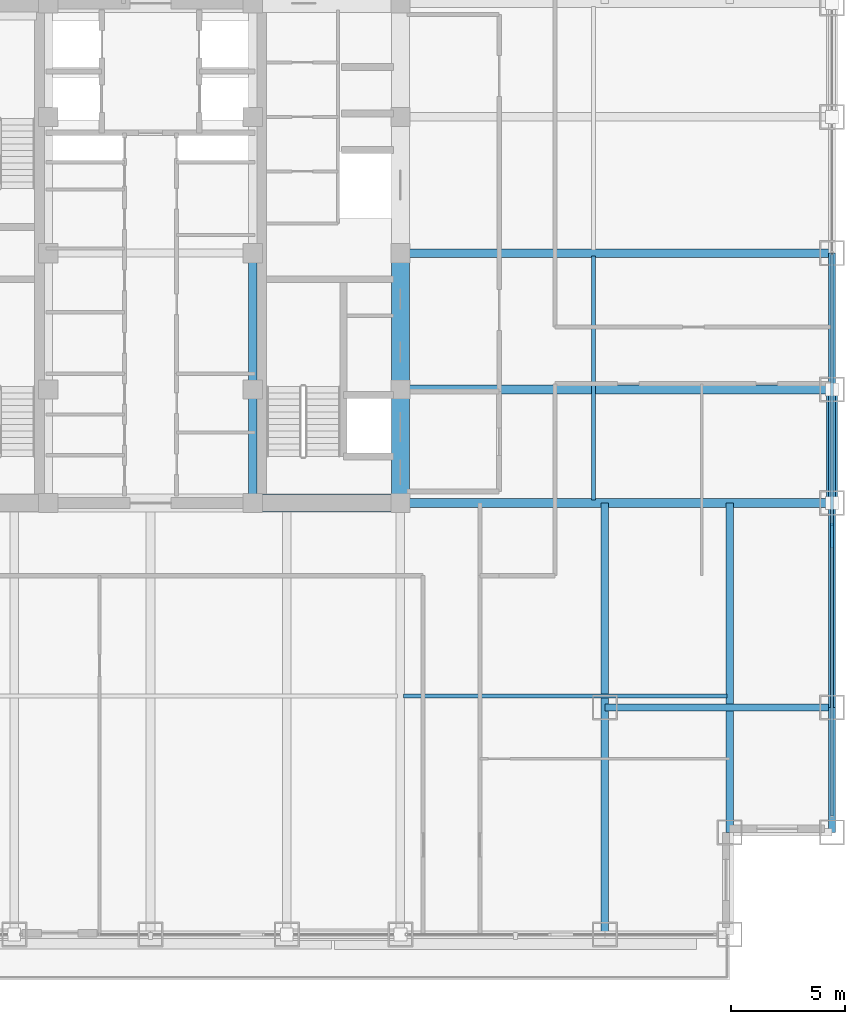
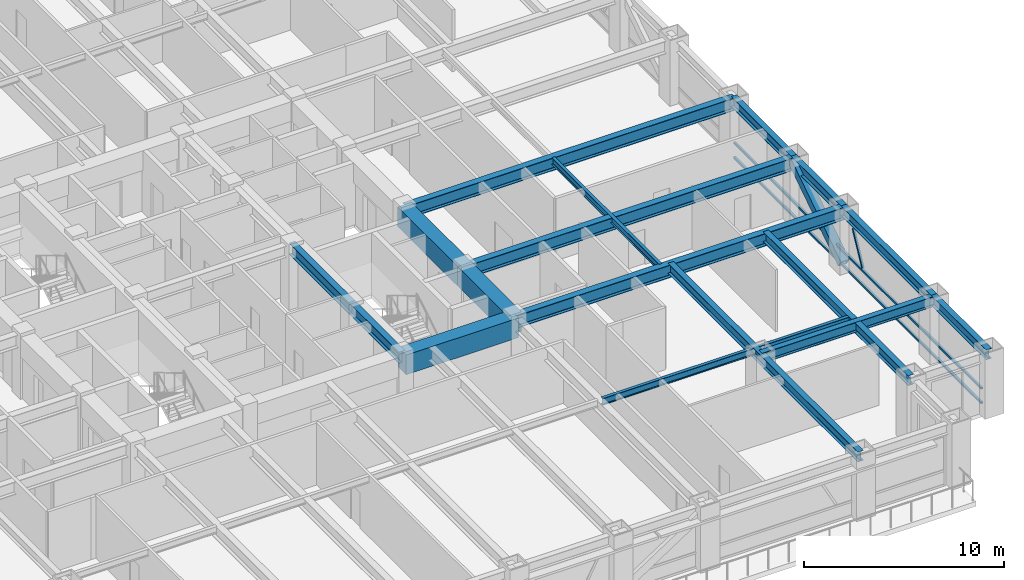
# One storey, part 12 of 35: 17 beams, 5 members, 1 element without a shape of its own.
"""IFC4 building model written with IfcOpenShell, lengths in metres."""

from ifc_helpers import new_model, si_unit, direction, frame, origin, origin_2d, place, context, subcontext, project, spatial, rectangle, hollow_rectangle, i_section, extrude, source, transform, mapped, material, material_profile, profile_set, type_object, element, aggregate, save


model = new_model("IFC4")

# Units and contexts
model_context = context("Model", 3, precision=1e-05, world=origin(), true_north=direction((0.0, 1.0)))
body_context = subcontext(model_context, "Body", "Model", "MODEL_VIEW")
ifc_project = project(units=[si_unit("LENGTHUNIT", "METRE"), si_unit("AREAUNIT", "SQUARE_METRE"), si_unit("VOLUMEUNIT", "CUBIC_METRE"), si_unit("PLANEANGLEUNIT", "RADIAN"), si_unit("MASSUNIT", "GRAM", prefix="KILO")], contexts=[model_context])

# Site, building, storey
site_placement = place(None, origin())
site = spatial("IfcSite", under=ifc_project, at=site_placement, CompositionType="ELEMENT")
building_placement = place(site_placement, origin())
building = spatial("IfcBuilding", under=site, at=building_placement, Name="Khorayat Bourse Tower", CompositionType="ELEMENT")
storey_placement = place(building_placement, frame((0.0, 0.0, 155.10009765625)))
storey = spatial("IfcBuildingStorey", under=building, at=storey_placement, Name="L35", CompositionType="ELEMENT", Elevation=155.10009765625)

# Beams
ifc_material_1 = material(Name="Concrete C72/90", Category="concrete")
ifc_material_profile_1 = material_profile(ifc_material_1, rectangle(XDim=0.800048828125, YDim=1.199951171875, at=origin_2d()), Name="RC 800x1200")
ifc_profile_set_1 = profile_set([ifc_material_profile_1], Name="Concrete C72/90")
beam_type_1 = type_object("IfcBeamType", Name="BM-COUP-1200", PredefinedType="BEAM", material=ifc_profile_set_1)
shared_shape_1 = source(origin(), body_context, "Body", "SweptSolid", [
    extrude(rectangle(XDim=0.800048828125, YDim=1.199951171875, at=origin_2d()), origin(), (0.0, 0.0, 1.0), 5.0),
])
beam_1_placement = place(storey_placement, frame((11.0, -11.0, 3.179931640625), z_axis=(0.0, 1.0, 0.0), x_axis=(-1.0, 0.0, 0.0)))
element("IfcBeam", 1, at=beam_1_placement, inside=storey, type_object=beam_type_1, Name="L35 BM-COUP-1200 BM-L35-CRX-13", PredefinedType="BEAM", context=body_context, shape_type="MappedRepresentation", body=[
    mapped(shared_shape_1, transform((0.0, 0.0, 0.0), scale=1.0)),
])
shared_shape_2 = source(origin(), body_context, "Body", "SweptSolid", [
    extrude(rectangle(XDim=0.800048828125, YDim=1.199951171875, at=origin_2d()), origin(), (0.0, 0.0, 1.0), 6.0),
])
beam_2_placement = place(storey_placement, frame((11.0, -6.0, 3.179931640625), z_axis=(0.0, 1.0, 0.0), x_axis=(-1.0, 0.0, 0.0)))
element("IfcBeam", 2, at=beam_2_placement, inside=storey, type_object=beam_type_1, Name="L35 BM-COUP-1200 BM-L35-CRX-14", PredefinedType="BEAM", context=body_context, shape_type="MappedRepresentation", body=[
    mapped(shared_shape_2, transform((0.0, 0.0, 0.0), scale=1.0)),
])
ifc_material_2 = material(Name="Steel ASTM A992 Grade 50", Category="steel")
ifc_material_profile_2 = material_profile(ifc_material_2, i_section(OverallWidth=0.35498046875, OverallDepth=0.695068359375, WebThickness=0.015380859375, FlangeThickness=0.02490234375, FilletRadius=0.01806640625, at=origin_2d()), Name="W690X217")
ifc_profile_set_2 = profile_set([ifc_material_profile_2], Name="Steel ASTM A992 Grade 50")
beam_type_2 = type_object("IfcBeamType", Name="BM-GIRD-690", PredefinedType="BEAM", material=ifc_profile_set_2)
shared_shape_3 = source(origin(), body_context, "Body", "SweptSolid", [
    extrude(i_section(OverallWidth=0.35498046875, OverallDepth=0.695068359375, WebThickness=0.015380859375, FlangeThickness=0.02490234375, FilletRadius=0.01806640625, at=origin_2d()), origin(), (0.0, 0.0, 1.0), 5.0),
])
beam_3_placement = place(storey_placement, frame((4.5, -11.0, 3.432373046875), z_axis=(0.0, 1.0, 0.0), x_axis=(-1.0, 0.0, 0.0)))
element("IfcBeam", 3, at=beam_3_placement, inside=storey, type_object=beam_type_2, Name="L35 BM-GIRD-690 BM-L35-CRX-09", PredefinedType="BEAM", context=body_context, shape_type="MappedRepresentation", body=[
    mapped(shared_shape_3, transform((0.0, 0.0, 0.0), scale=1.0)),
])
shared_shape_4 = source(origin(), body_context, "Body", "SweptSolid", [
    extrude(i_section(OverallWidth=0.35498046875, OverallDepth=0.695068359375, WebThickness=0.015380859375, FlangeThickness=0.02490234375, FilletRadius=0.01806640625, at=origin_2d()), origin(), (0.0, 0.0, 1.0), 6.0),
])
beam_4_placement = place(storey_placement, frame((4.5, -6.0, 3.432373046875), z_axis=(0.0, 1.0, 0.0), x_axis=(-1.0, 0.0, 0.0)))
element("IfcBeam", 4, at=beam_4_placement, inside=storey, type_object=beam_type_2, Name="L35 BM-GIRD-690 BM-L35-CRX-10", PredefinedType="BEAM", context=body_context, shape_type="MappedRepresentation", body=[
    mapped(shared_shape_4, transform((0.0, 0.0, 0.0), scale=1.0)),
])
shared_shape_5 = source(origin(), body_context, "Body", "SweptSolid", [
    extrude(rectangle(XDim=0.800048828125, YDim=1.199951171875, at=origin_2d()), origin(), (0.0, 0.0, 1.0), 6.5),
])
beam_5_placement = place(storey_placement, frame((4.5, -11.0, 3.179931640625), z_axis=(1.0, 0.0, 0.0), x_axis=(0.0, 1.0, 0.0)))
element("IfcBeam", 5, at=beam_5_placement, inside=storey, type_object=beam_type_1, Name="L35 BM-COUP-1200 BM-L35-CRY-19", PredefinedType="BEAM", context=body_context, shape_type="MappedRepresentation", body=[
    mapped(shared_shape_5, transform((0.0, 0.0, 0.0), scale=1.0)),
])
ifc_material_profile_3 = material_profile(ifc_material_2, i_section(OverallWidth=0.381103515625, OverallDepth=0.77294921875, WebThickness=0.0166015625, FlangeThickness=0.027587890625, FilletRadius=0.01806640625, at=origin_2d()), Name="W760X257")
ifc_profile_set_3 = profile_set([ifc_material_profile_3], Name="Steel ASTM A992 Grade 50")
beam_type_3 = type_object("IfcBeamType", Name="BM-GIRD-760", PredefinedType="BEAM", material=ifc_profile_set_3)
shared_shape_6 = source(origin(), body_context, "Body", "SweptSolid", [
    extrude(i_section(OverallWidth=0.381103515625, OverallDepth=0.77294921875, WebThickness=0.0166015625, FlangeThickness=0.027587890625, FilletRadius=0.01806640625, at=origin_2d()), origin(), (0.0, 0.0, 1.0), 19.0),
])
for number, where, z_axis, x_axis, name in (
    (6, (11.0, -11.0, 3.393310546875), (1.0, 0.0, 0.0), (0.0, 1.0, 0.0), "L35 BM-GIRD-760 BM-L35-RADX-074"),
    (7, (11.0, -6.0, 3.393310546875), (1.0, 0.0, 0.0), (0.0, 1.0, 0.0), "L35 BM-GIRD-760 BM-L35-RADX-076"),
    (8, (11.0, 0.0, 3.393310546875), (1.0, 0.0, 0.0), (0.0, 1.0, 0.0), "L35 BM-GIRD-760 BM-L35-RADX-078"),
):
    element("IfcBeam", number, at=place(storey_placement, frame(where, z_axis=z_axis, x_axis=x_axis)), inside=storey, type_object=beam_type_3, Name=name, PredefinedType="BEAM", context=body_context, shape_type="MappedRepresentation", body=[
        mapped(shared_shape_6, transform((0.0, 0.0, 0.0), scale=1.0)),
    ])
ifc_material_profile_4 = material_profile(ifc_material_2, i_section(OverallWidth=0.324951171875, OverallDepth=0.615966796875, WebThickness=0.013916015625, FlangeThickness=0.021484375, FilletRadius=0.01611328125, at=origin_2d()), Name="W610X174")
ifc_profile_set_4 = profile_set([ifc_material_profile_4], Name="Steel ASTM A992 Grade 50")
beam_type_4 = type_object("IfcBeamType", Name="BM-GIRD-610", PredefinedType="BEAM", material=ifc_profile_set_4)
shared_shape_7 = source(origin(), body_context, "Body", "SweptSolid", [
    extrude(i_section(OverallWidth=0.324951171875, OverallDepth=0.615966796875, WebThickness=0.013916015625, FlangeThickness=0.021484375, FilletRadius=0.01611328125, at=origin_2d()), origin(), (0.0, 0.0, 1.0), 19.0),
])
beam_6_placement = place(storey_placement, frame((20.0, -30.0, 3.471923828125), z_axis=(0.0, 1.0, 0.0), x_axis=(-1.0, 0.0, 0.0)))
element("IfcBeam", 9, at=beam_6_placement, inside=storey, type_object=beam_type_4, Name="L35 BM-GIRD-610 BM-L35-CNRY-086", PredefinedType="BEAM", context=body_context, shape_type="MappedRepresentation", body=[
    mapped(shared_shape_7, transform((0.0, 0.0, 0.0), scale=1.0)),
])
shared_shape_8 = source(origin(), body_context, "Body", "SweptSolid", [
    extrude(i_section(OverallWidth=0.324951171875, OverallDepth=0.615966796875, WebThickness=0.013916015625, FlangeThickness=0.021484375, FilletRadius=0.01611328125, at=origin_2d()), origin(), (0.0, 0.0, 1.0), 14.5),
])
beam_7_placement = place(storey_placement, frame((25.5, -25.5, 3.471923828125), z_axis=(0.0, 1.0, 0.0), x_axis=(-1.0, 0.0, 0.0)))
element("IfcBeam", 10, at=beam_7_placement, inside=storey, type_object=beam_type_4, Name="L35 BM-GIRD-610 BM-L35-CNRY-090", PredefinedType="BEAM", context=body_context, shape_type="MappedRepresentation", body=[
    mapped(shared_shape_8, transform((0.0, 0.0, 0.0), scale=1.0)),
])
shared_shape_9 = source(origin(), body_context, "Body", "SweptSolid", [
    extrude(i_section(OverallWidth=0.324951171875, OverallDepth=0.615966796875, WebThickness=0.013916015625, FlangeThickness=0.021484375, FilletRadius=0.01611328125, at=origin_2d()), origin(), (0.0, 0.0, 1.0), 10.0),
])
beam_8_placement = place(storey_placement, frame((20.0, -20.0, 3.471923828125), z_axis=(1.0, 0.0, 0.0), x_axis=(0.0, 1.0, 0.0)))
element("IfcBeam", 11, at=beam_8_placement, inside=storey, type_object=beam_type_4, Name="L35 BM-GIRD-610 BM-L35-CNRX-092", PredefinedType="BEAM", context=body_context, shape_type="MappedRepresentation", body=[
    mapped(shared_shape_9, transform((0.0, 0.0, 0.0), scale=1.0)),
])
ifc_material_profile_5 = material_profile(ifc_material_2, i_section(OverallWidth=0.180908203125, OverallDepth=0.4169921875, WebThickness=0.010986328125, FlangeThickness=0.018310546875, FilletRadius=0.011962890625, at=origin_2d()), Name="W410X85")
ifc_profile_set_5 = profile_set([ifc_material_profile_5], Name="Steel ASTM A992 Grade 50")
beam_type_5 = type_object("IfcBeamType", Name="BM-JOIST-410", PredefinedType="JOIST", material=ifc_profile_set_5)
shared_shape_10 = source(origin(), body_context, "Body", "SweptSolid", [
    extrude(i_section(OverallWidth=0.180908203125, OverallDepth=0.4169921875, WebThickness=0.010986328125, FlangeThickness=0.018310546875, FilletRadius=0.011962890625, at=origin_2d()), origin(), (0.0, 0.0, 1.0), 14.240234375),
])
beam_9_placement = place(storey_placement, frame((11.1298828125, -19.5, 3.5712890625), z_axis=(1.0, 0.0, 0.0), x_axis=(0.0, 1.0, 0.0)))
element("IfcBeam", 12, at=beam_9_placement, inside=storey, type_object=beam_type_5, Name="L35 BM-JOIST-410 BM-L35-JSTX-098", PredefinedType="JOIST", context=body_context, shape_type="MappedRepresentation", body=[
    mapped(shared_shape_10, transform((0.0, 0.0, 0.0), scale=1.0)),
])
shared_shape_11 = source(origin(), body_context, "Body", "SweptSolid", [
    extrude(i_section(OverallWidth=0.180908203125, OverallDepth=0.4169921875, WebThickness=0.010986328125, FlangeThickness=0.018310546875, FilletRadius=0.011962890625, at=origin_2d()), origin(), (0.0, 0.0, 1.0), 10.740234375),
])
beam_10_placement = place(storey_placement, frame((19.5, -10.8701171875, 3.5712890625), z_axis=(0.0, 1.0, 0.0), x_axis=(-1.0, 0.0, 0.0)))
element("IfcBeam", 13, at=beam_10_placement, inside=storey, type_object=beam_type_5, Name="L35 BM-JOIST-410 BM-L35-JSTY-104", PredefinedType="JOIST", context=body_context, shape_type="MappedRepresentation", body=[
    mapped(shared_shape_11, transform((0.0, 0.0, 0.0), scale=1.0)),
])
ifc_material_profile_6 = material_profile(ifc_material_2, i_section(OverallWidth=0.324951171875, OverallDepth=0.615966796875, WebThickness=0.013916015625, FlangeThickness=0.021484375, FilletRadius=0.01611328125, at=origin_2d()), Name="W610X174")
ifc_profile_set_6 = profile_set([ifc_material_profile_6], Name="Steel ASTM A992 Grade 50")
beam_type_6 = type_object("IfcBeamType", Name="BM-SPAN-610", PredefinedType="SPANDREL", material=ifc_profile_set_6)
shared_shape_12 = source(origin(), body_context, "Body", "SweptSolid", [
    extrude(i_section(OverallWidth=0.324951171875, OverallDepth=0.615966796875, WebThickness=0.013916015625, FlangeThickness=0.021484375, FilletRadius=0.01611328125, at=origin_2d()), origin(), (0.0, 0.0, 1.0), 5.5),
])
beam_11_placement = place(storey_placement, frame((30.0, -25.5, 3.471923828125), z_axis=(0.0, 1.0, 0.0), x_axis=(-1.0, 0.0, 0.0)))
element("IfcBeam", 14, at=beam_11_placement, inside=storey, type_object=beam_type_6, Name="L35 BM-SPAN-610 BM-L35-SPN-034", PredefinedType="SPANDREL", context=body_context, shape_type="MappedRepresentation", body=[
    mapped(shared_shape_12, transform((0.0, 0.0, 0.0), scale=1.0)),
])
shared_shape_13 = source(origin(), body_context, "Body", "SweptSolid", [
    extrude(i_section(OverallWidth=0.324951171875, OverallDepth=0.615966796875, WebThickness=0.013916015625, FlangeThickness=0.021484375, FilletRadius=0.01611328125, at=origin_2d()), origin(), (0.0, 0.0, 1.0), 9.0),
])
beam_12_placement = place(storey_placement, frame((30.0, -20.0, 3.471923828125), z_axis=(0.0, 1.0, 0.0), x_axis=(-1.0, 0.0, 0.0)))
element("IfcBeam", 15, at=beam_12_placement, inside=storey, type_object=beam_type_6, Name="L35 BM-SPAN-610 BM-L35-SPN-035", PredefinedType="SPANDREL", context=body_context, shape_type="MappedRepresentation", body=[
    mapped(shared_shape_13, transform((0.0, 0.0, 0.0), scale=1.0)),
])
shared_shape_14 = source(origin(), body_context, "Body", "SweptSolid", [
    extrude(i_section(OverallWidth=0.324951171875, OverallDepth=0.615966796875, WebThickness=0.013916015625, FlangeThickness=0.021484375, FilletRadius=0.01611328125, at=origin_2d()), origin(), (0.0, 0.0, 1.0), 5.0),
])
beam_13_placement = place(storey_placement, frame((30.0, -11.0, 3.471923828125), z_axis=(0.0, 1.0, 0.0), x_axis=(-1.0, 0.0, 0.0)))
element("IfcBeam", 16, at=beam_13_placement, inside=storey, type_object=beam_type_6, Name="L35 BM-SPAN-610 BM-L35-SPN-036", PredefinedType="SPANDREL", context=body_context, shape_type="MappedRepresentation", body=[
    mapped(shared_shape_14, transform((0.0, 0.0, 0.0), scale=1.0)),
])
shared_shape_15 = source(origin(), body_context, "Body", "SweptSolid", [
    extrude(i_section(OverallWidth=0.324951171875, OverallDepth=0.615966796875, WebThickness=0.013916015625, FlangeThickness=0.021484375, FilletRadius=0.01611328125, at=origin_2d()), origin(), (0.0, 0.0, 1.0), 6.0),
])
beam_14_placement = place(storey_placement, frame((30.0, -6.0, 3.471923828125), z_axis=(0.0, 1.0, 0.0), x_axis=(-1.0, 0.0, 0.0)))
element("IfcBeam", 17, at=beam_14_placement, inside=storey, type_object=beam_type_6, Name="L35 BM-SPAN-610 BM-L35-SPN-037", PredefinedType="SPANDREL", context=body_context, shape_type="MappedRepresentation", body=[
    mapped(shared_shape_15, transform((0.0, 0.0, 0.0), scale=1.0)),
])

# Member
ifc_material_3 = material(Name="Steel EN 10025-4 S460M", Category="steel")
ifc_material_profile_7 = material_profile(ifc_material_3, hollow_rectangle(XDim=0.5, YDim=0.5, WallThickness=0.028076171875, at=origin_2d()), Name="HSS 500x500x28")
ifc_profile_set_7 = profile_set([ifc_material_profile_7], Name="Steel EN 10025-4 S460M")
member_type_1 = type_object("IfcMemberType", Name="MBR-TUBE-500", PredefinedType="BRACE", material=ifc_profile_set_7)
shared_shape_16 = source(origin(), body_context, "Body", "SweptSolid", [
    extrude(hollow_rectangle(XDim=0.5, YDim=0.5, WallThickness=0.028076171875, at=origin_2d()), origin(), (0.0, 0.0, 1.0), 5.979736328125),
])
member_1_placement = place(storey_placement, frame((30.0, -11.0, 0.25), z_axis=(0.0, 0.836160261256, 0.548485202623), x_axis=(-1.0, 0.0, 0.0)))
element("IfcMember", 18, at=member_1_placement, inside=storey, type_object=member_type_1, Name="L35 Perimeter Tube Brace 07", PredefinedType="BRACE", context=body_context, shape_type="MappedRepresentation", body=[
    mapped(shared_shape_16, transform((0.0, 0.0, 0.0), scale=1.0)),
])

# Curtain wall, members
ifc_material_4 = material(Name="Aluminium EN AW-6063 T6", Category="aluminium")
curtain_wall_type = type_object("IfcCurtainWallType", Name="CW-SYS-03", PredefinedType="NOTDEFINED", material=ifc_material_4)
curtain_wall_placement = place(storey_placement, origin())
curtain_wall = element("IfcCurtainWall", 19, at=curtain_wall_placement, inside=storey, type_object=curtain_wall_type, Name="L35 Curtain Wall CW-L35-E1", PredefinedType="NOTDEFINED")
ifc_material_profile_8 = material_profile(ifc_material_4, hollow_rectangle(XDim=0.1201171875, YDim=0.1201171875, WallThickness=0.0048828125, at=origin_2d()), Name="ALU 120x120x5")
ifc_profile_set_8 = profile_set([ifc_material_profile_8], Name="Aluminium EN AW-6063 T6")
member_type_2 = type_object("IfcMemberType", Name="CWM-DIAG-120", PredefinedType="MULLION", material=ifc_profile_set_8)
shared_shape_17 = source(origin(), body_context, "Body", "SweptSolid", [
    extrude(hollow_rectangle(XDim=0.1201171875, YDim=0.1201171875, WallThickness=0.0048828125, at=origin_2d()), origin(), (0.0, 0.0, 1.0), 2.079345703125),
])
member_2_placement = place(storey_placement, frame((30.0, -12.904296875, 1.08984375), z_axis=(0.0, 0.465760949701, 0.884910581773), x_axis=(-1.0, 0.0, 0.0)))
member_2 = element("IfcMember", 20, at=member_2_placement, type_object=member_type_2, Name="CW-L35-E1 Faceted Diagonal Mullion 1", PredefinedType="MULLION", context=body_context, shape_type="MappedRepresentation", body=[
    mapped(shared_shape_17, transform((0.0, 0.0, 0.0), scale=1.0)),
])
ifc_material_profile_9 = material_profile(ifc_material_4, hollow_rectangle(XDim=0.1201171875, YDim=0.1201171875, WallThickness=0.0048828125, at=origin_2d()), Name="ALU 120x120x5")
ifc_profile_set_9 = profile_set([ifc_material_profile_9], Name="Aluminium EN AW-6063 T6")
member_type_3 = type_object("IfcMemberType", Name="CWT-HORZ-120", PredefinedType="USERDEFINED", material=ifc_profile_set_9)
shared_shape_18 = source(origin(), body_context, "Body", "SweptSolid", [
    extrude(hollow_rectangle(XDim=0.1201171875, YDim=0.1201171875, WallThickness=0.0048828125, at=origin_2d()), origin(), (0.0, 0.0, 1.0), 24.719970703125),
])
member_3_placement = place(storey_placement, frame((30.0, -24.780029296875, 0.059814453125), z_axis=(0.0, 1.0, 0.0), x_axis=(-1.0, 0.0, 0.0)))
member_3 = element("IfcMember", 21, at=member_3_placement, type_object=member_type_3, Name="CW-L35-E1 Horizontal Transom 1-1", ObjectType="TRANSOM", PredefinedType="USERDEFINED", context=body_context, shape_type="MappedRepresentation", body=[
    mapped(shared_shape_18, transform((0.0, 0.0, 0.0), scale=1.0)),
])
member_4_placement = place(storey_placement, frame((30.0, -24.780029296875, 0.949951171875), z_axis=(0.0, 1.0, 0.0), x_axis=(-1.0, 0.0, 0.0)))
member_4 = element("IfcMember", 22, at=member_4_placement, type_object=member_type_3, Name="CW-L35-E1 Horizontal Transom 1-2", ObjectType="TRANSOM", PredefinedType="USERDEFINED", context=body_context, shape_type="MappedRepresentation", body=[
    mapped(shared_shape_18, transform((0.0, 0.0, 0.0), scale=1.0)),
])
member_5_placement = place(storey_placement, frame((30.0, -24.780029296875, 3.06982421875), z_axis=(0.0, 1.0, 0.0), x_axis=(-1.0, 0.0, 0.0)))
member_5 = element("IfcMember", 23, at=member_5_placement, type_object=member_type_3, Name="CW-L35-E1 Horizontal Transom 1-3", ObjectType="TRANSOM", PredefinedType="USERDEFINED", context=body_context, shape_type="MappedRepresentation", body=[
    mapped(shared_shape_18, transform((0.0, 0.0, 0.0), scale=1.0)),
])
aggregate(curtain_wall, [member_3, member_4, member_5, member_2])

save(model, "model.ifc")
